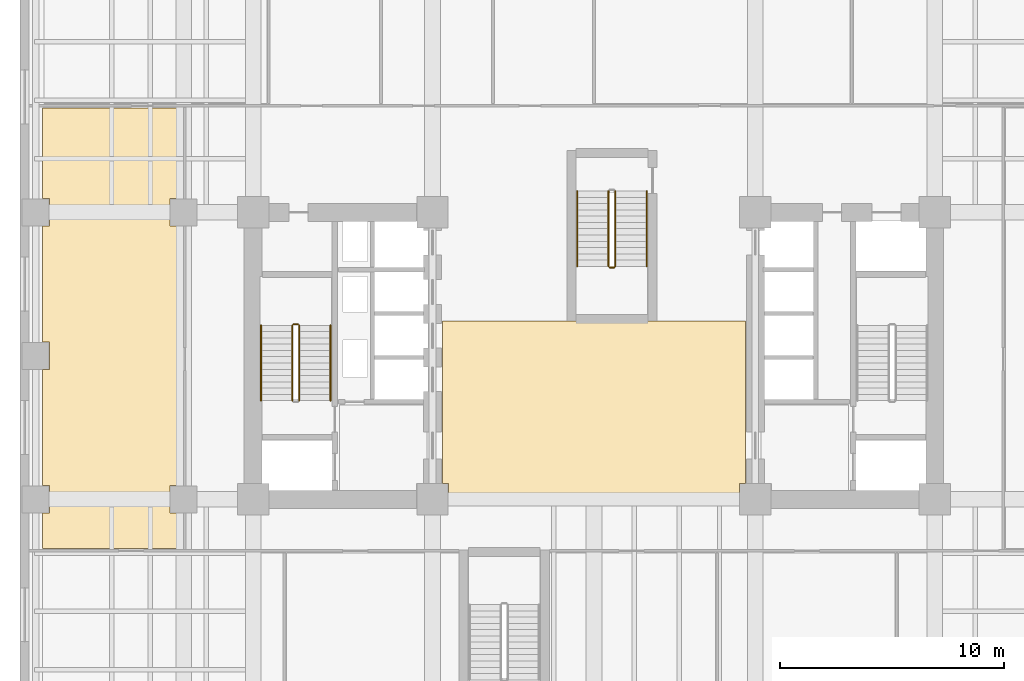
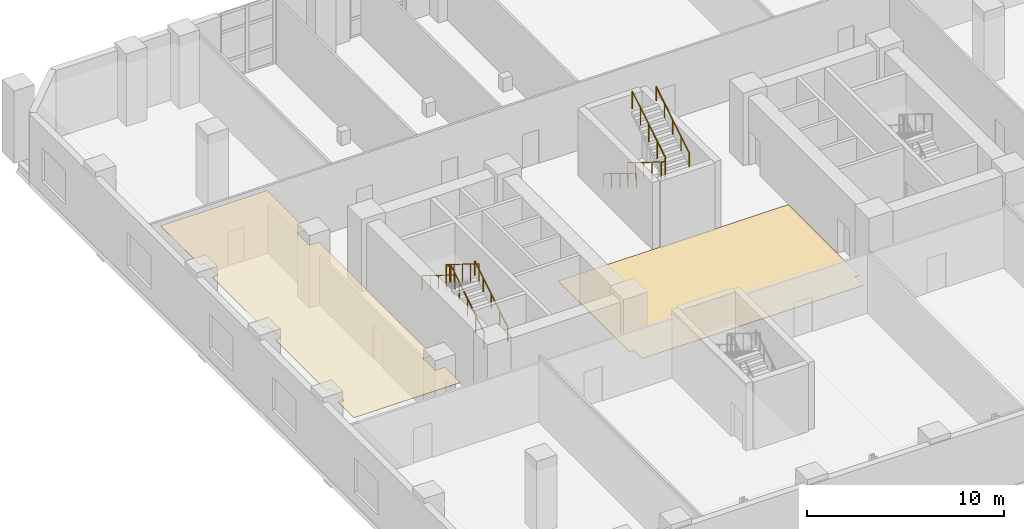
# One storey, part 11 of 15: 10 railings, 2 coverings.
"""IFC4 building model written with IfcOpenShell, lengths in metres."""

from ifc_helpers import new_model, si_unit, direction, frame, origin, origin_2d, place, context, subcontext, project, spatial, polyline, circle, outline, extrude, material, layer, layer_set, type_object, element, save


model = new_model("IFC4")

# Units and contexts
model_context = context("Model", 3, precision=1e-05, world=origin(), true_north=direction((0.0, 1.0)))
body_context = subcontext(model_context, "Body", "Model", "MODEL_VIEW")
ifc_project = project(units=[si_unit("LENGTHUNIT", "METRE"), si_unit("AREAUNIT", "SQUARE_METRE"), si_unit("VOLUMEUNIT", "CUBIC_METRE"), si_unit("PLANEANGLEUNIT", "RADIAN"), si_unit("MASSUNIT", "GRAM", prefix="KILO")], contexts=[model_context])

# Site, building, storey
site_placement = place(None, origin())
site = spatial("IfcSite", under=ifc_project, at=site_placement, CompositionType="ELEMENT")
building_placement = place(site_placement, origin())
building = spatial("IfcBuilding", under=site, at=building_placement, Name="Kranthara Brick Stack", CompositionType="ELEMENT")
storey_placement = place(building_placement, frame((0.0, 0.0, 9.89990234375)))
storey = spatial("IfcBuildingStorey", under=building, at=storey_placement, Name="L02", CompositionType="ELEMENT", Elevation=9.89990234375)

# Coverings
ifc_material_1 = material(Name="Perforated mineral-fibre acoustic ceiling tile", Category="other")
ifc_layer_1 = layer(ifc_material_1, 0.02490234375)
ifc_layer_set_1 = layer_set([ifc_layer_1], Name="Perforated mineral-fibre acoustic ceiling tile")
covering_type_1 = type_object("IfcCoveringType", Name="COV-CEIL-ACOUSTIC", PredefinedType="CEILING", material=ifc_layer_set_1)
covering_1_placement = place(storey_placement, frame((0.0, 0.0, 3.91015625)))
element("IfcCovering", 1, at=covering_1_placement, inside=storey, type_object=covering_type_1, Name="L02 West Perimeter Office Studio Acoustic Ceiling", PredefinedType="CEILING", context=body_context, shape_type="SweptSolid", body=[
    extrude(outline(polyline([(3.39990234375, 20.18994140625), (3.7099609375, 20.18994140625), (3.7099609375, 21.409912109375), (3.39990234375, 21.409912109375), (3.39990234375, 26.590087890625), (3.7099609375, 26.590087890625), (3.7099609375, 27.81005859375), (3.39990234375, 27.81005859375), (3.39990234375, 32.989990234375), (3.7099609375, 32.989990234375), (3.7099609375, 34.2099609375), (3.39990234375, 34.2099609375), (3.39990234375, 38.25), (9.64990234375, 38.25), (9.64990234375, 34.2099609375), (9.090087890625, 34.2099609375), (9.090087890625, 32.989990234375), (9.64990234375, 32.989990234375), (9.64990234375, 21.409912109375), (9.090087890625, 21.409912109375), (9.090087890625, 20.18994140625), (9.64990234375, 20.18994140625), (9.64990234375, 18.60009765625), (3.39990234375, 18.60009765625), (3.39990234375, 20.18994140625)])), origin(), (0.0, 0.0, 1.0), 0.02490234375),
])
ifc_material_2 = material(Name="Honed terrazzo and porcelain floor finish", Category="stone")
ifc_layer_2 = layer(ifc_material_2, 0.030029296875)
ifc_layer_set_2 = layer_set([ifc_layer_2], Name="Honed terrazzo and porcelain floor finish")
covering_type_2 = type_object("IfcCoveringType", Name="COV-FLOR-STONE", PredefinedType="FLOORING", material=ifc_layer_set_2)
covering_2_placement = place(storey_placement, origin())
element("IfcCovering", 2, at=covering_2_placement, inside=storey, type_object=covering_type_2, Name="L02 Lift Lobby Stone Flooring", PredefinedType="FLOORING", context=body_context, shape_type="SweptSolid", body=[
    extrude(outline(polyline([(34.75, 21.510009765625), (34.489990234375, 21.510009765625), (34.489990234375, 20.64990234375), (21.510009765625, 20.64990234375), (21.510009765625, 21.510009765625), (21.25, 21.510009765625), (21.25, 28.75), (34.75, 28.75), (34.75, 21.510009765625)])), origin(), (0.0, 0.0, 1.0), 0.030029296875),
])

# Railings
ifc_material_3 = material(Name="Painted galvanized steel stair guardrail", Category="steel")
railing_type_1 = type_object("IfcRailingType", Name="RL-STAIR-GUARD-1100", PredefinedType="GUARDRAIL", material=ifc_material_3)
railing_1_placement = place(storey_placement, frame((14.85009765625, 25.199951171875, 0.173095703125)))
element("IfcRailing", 3, at=railing_1_placement, inside=storey, type_object=railing_type_1, Name="L02 ST01 stair guard 1", PredefinedType="GUARDRAIL", context=body_context, shape_type="SweptSolid", body=[
    extrude(circle(Radius=0.02392578125, at=origin_2d()), frame((0.0, 0.0, 1.076171875), z_axis=(0.0, 0.850623216509, 0.525775754039), x_axis=(-1.0, 0.0, 0.0)), (0.0, 0.0, 1.0), 3.9501953125),
    extrude(circle(Radius=0.02099609375, at=origin_2d()), origin(), (0.0, 0.0, 1.0), 1.052001953125),
    extrude(circle(Radius=0.02099609375, at=origin_2d()), frame((0.0, 0.840087890625, 0.519287109375)), (0.0, 0.0, 1.0), 1.052001953125),
    extrude(circle(Radius=0.02099609375, at=origin_2d()), frame((0.0, 1.68017578125, 1.03857421875)), (0.0, 0.0, 1.0), 1.052001953125),
    extrude(circle(Radius=0.02099609375, at=origin_2d()), frame((0.0, 2.52001953125, 1.5576171875)), (0.0, 0.0, 1.0), 1.052001953125),
    extrude(circle(Radius=0.02099609375, at=origin_2d()), frame((0.0, 3.360107421875, 2.076904296875)), (0.0, 0.0, 1.0), 1.052001953125),
])
railing_2_placement = place(storey_placement, frame((14.800048828125, 28.610107421875, 2.25)))
element("IfcRailing", 4, at=railing_2_placement, inside=storey, type_object=railing_type_1, Name="L02 ST01 stair guard 2", PredefinedType="GUARDRAIL", context=body_context, shape_type="SweptSolid", body=[
    extrude(circle(Radius=0.02392578125, at=origin_2d()), frame((0.0, 0.0, 1.076171875), z_axis=(-1.0, 0.0, 0.0), x_axis=(0.0, -1.0, 0.0)), (0.0, 0.0, 1.0), 0.199951171875),
    extrude(circle(Radius=0.02099609375, at=origin_2d()), origin(), (0.0, 0.0, 1.0), 1.052001953125),
    extrude(circle(Radius=0.02099609375, at=origin_2d()), frame((-0.199951171875, 0.0, 0.0)), (0.0, 0.0, 1.0), 1.052001953125),
])
for number, where, name in (
    (5, (14.550048828125, 28.56005859375, 2.423095703125), "L02 ST01 stair guard 3"),
    (6, (28.64990234375, 34.550048828125, 0.173095703125), "L02 ST04 stair guard 1"),
):
    element("IfcRailing", number, at=place(storey_placement, frame(where)), inside=storey, type_object=railing_type_1, Name=name, PredefinedType="GUARDRAIL", context=body_context, shape_type="SweptSolid", body=[
        extrude(circle(Radius=0.02392578125, at=origin_2d()), frame((0.0, 0.0, 1.076171875), z_axis=(0.0, -0.850623216509, 0.525775754039), x_axis=(1.0, 0.0, 0.0)), (0.0, 0.0, 1.0), 3.9501953125),
        extrude(circle(Radius=0.02099609375, at=origin_2d()), origin(), (0.0, 0.0, 1.0), 1.052001953125),
        extrude(circle(Radius=0.02099609375, at=origin_2d()), frame((0.0, -0.840087890625, 0.519287109375)), (0.0, 0.0, 1.0), 1.052001953125),
        extrude(circle(Radius=0.02099609375, at=origin_2d()), frame((0.0, -1.68017578125, 1.03857421875)), (0.0, 0.0, 1.0), 1.052001953125),
        extrude(circle(Radius=0.02099609375, at=origin_2d()), frame((0.0, -2.52001953125, 1.5576171875)), (0.0, 0.0, 1.0), 1.052001953125),
        extrude(circle(Radius=0.02099609375, at=origin_2d()), frame((0.0, -3.360107421875, 2.076904296875)), (0.0, 0.0, 1.0), 1.052001953125),
    ])
railing_3_placement = place(storey_placement, frame((28.699951171875, 31.139892578125, 2.25)))
element("IfcRailing", 7, at=railing_3_placement, inside=storey, type_object=railing_type_1, Name="L02 ST04 stair guard 2", PredefinedType="GUARDRAIL", context=body_context, shape_type="SweptSolid", body=[
    extrude(circle(Radius=0.02392578125, at=origin_2d()), frame((0.0, 0.0, 1.076171875), z_axis=(1.0, 0.0, 0.0), x_axis=(0.0, 1.0, 0.0)), (0.0, 0.0, 1.0), 0.199951171875),
    extrude(circle(Radius=0.02099609375, at=origin_2d()), origin(), (0.0, 0.0, 1.0), 1.052001953125),
    extrude(circle(Radius=0.02099609375, at=origin_2d()), frame((0.199951171875, 0.0, 0.0)), (0.0, 0.0, 1.0), 1.052001953125),
])
railing_4_placement = place(storey_placement, frame((28.949951171875, 31.18994140625, 2.423095703125)))
element("IfcRailing", 8, at=railing_4_placement, inside=storey, type_object=railing_type_1, Name="L02 ST04 stair guard 3", PredefinedType="GUARDRAIL", context=body_context, shape_type="SweptSolid", body=[
    extrude(circle(Radius=0.02392578125, at=origin_2d()), frame((0.0, 0.0, 1.076171875), z_axis=(0.0, 0.850623216509, 0.525775754039), x_axis=(-1.0, 0.0, 0.0)), (0.0, 0.0, 1.0), 3.9501953125),
    extrude(circle(Radius=0.02099609375, at=origin_2d()), origin(), (0.0, 0.0, 1.0), 1.052001953125),
    extrude(circle(Radius=0.02099609375, at=origin_2d()), frame((0.0, 0.840087890625, 0.519287109375)), (0.0, 0.0, 1.0), 1.052001953125),
    extrude(circle(Radius=0.02099609375, at=origin_2d()), frame((0.0, 1.68017578125, 1.03857421875)), (0.0, 0.0, 1.0), 1.052001953125),
    extrude(circle(Radius=0.02099609375, at=origin_2d()), frame((0.0, 2.52001953125, 1.5576171875)), (0.0, 0.0, 1.0), 1.052001953125),
    extrude(circle(Radius=0.02099609375, at=origin_2d()), frame((0.0, 3.360107421875, 2.076904296875)), (0.0, 0.0, 1.0), 1.052001953125),
])
ifc_material_4 = material(Name="Brushed stainless steel tubular handrail", Category="steel")
railing_type_2 = type_object("IfcRailingType", Name="RL-STAIR-HAND-900", PredefinedType="HANDRAIL", material=ifc_material_4)
railing_5_placement = place(storey_placement, frame((16.25, 25.199951171875, 0.173095703125)))
element("IfcRailing", 9, at=railing_5_placement, inside=storey, type_object=railing_type_2, Name="L02 ST01 stair handrail 1", PredefinedType="HANDRAIL", context=body_context, shape_type="SweptSolid", body=[
    extrude(circle(Radius=0.02392578125, at=origin_2d()), frame((0.0, 0.0, 0.8759765625), z_axis=(0.0, 0.850623216509, 0.525775754039), x_axis=(-1.0, 0.0, 0.0)), (0.0, 0.0, 1.0), 3.9501953125),
    extrude(circle(Radius=0.02099609375, at=origin_2d()), origin(), (0.0, 0.0, 1.0), 0.851806640625),
    extrude(circle(Radius=0.02099609375, at=origin_2d()), frame((0.0, 0.840087890625, 0.519287109375)), (0.0, 0.0, 1.0), 0.851806640625),
    extrude(circle(Radius=0.02099609375, at=origin_2d()), frame((0.0, 1.68017578125, 1.03857421875)), (0.0, 0.0, 1.0), 0.851806640625),
    extrude(circle(Radius=0.02099609375, at=origin_2d()), frame((0.0, 2.52001953125, 1.5576171875)), (0.0, 0.0, 1.0), 0.851806640625),
    extrude(circle(Radius=0.02099609375, at=origin_2d()), frame((0.0, 3.360107421875, 2.076904296875)), (0.0, 0.0, 1.0), 0.851806640625),
])
for number, where, name in (
    (10, (13.14990234375, 28.56005859375, 2.423095703125), "L02 ST01 stair handrail 2"),
    (11, (27.25, 34.550048828125, 0.173095703125), "L02 ST04 stair handrail 1"),
):
    element("IfcRailing", number, at=place(storey_placement, frame(where)), inside=storey, type_object=railing_type_2, Name=name, PredefinedType="HANDRAIL", context=body_context, shape_type="SweptSolid", body=[
        extrude(circle(Radius=0.02392578125, at=origin_2d()), frame((0.0, 0.0, 0.8759765625), z_axis=(0.0, -0.850623216509, 0.525775754039), x_axis=(1.0, 0.0, 0.0)), (0.0, 0.0, 1.0), 3.9501953125),
        extrude(circle(Radius=0.02099609375, at=origin_2d()), origin(), (0.0, 0.0, 1.0), 0.851806640625),
        extrude(circle(Radius=0.02099609375, at=origin_2d()), frame((0.0, -0.840087890625, 0.519287109375)), (0.0, 0.0, 1.0), 0.851806640625),
        extrude(circle(Radius=0.02099609375, at=origin_2d()), frame((0.0, -1.68017578125, 1.03857421875)), (0.0, 0.0, 1.0), 0.851806640625),
        extrude(circle(Radius=0.02099609375, at=origin_2d()), frame((0.0, -2.52001953125, 1.5576171875)), (0.0, 0.0, 1.0), 0.851806640625),
        extrude(circle(Radius=0.02099609375, at=origin_2d()), frame((0.0, -3.360107421875, 2.076904296875)), (0.0, 0.0, 1.0), 0.851806640625),
    ])
railing_6_placement = place(storey_placement, frame((30.35009765625, 31.18994140625, 2.423095703125)))
element("IfcRailing", 12, at=railing_6_placement, inside=storey, type_object=railing_type_2, Name="L02 ST04 stair handrail 2", PredefinedType="HANDRAIL", context=body_context, shape_type="SweptSolid", body=[
    extrude(circle(Radius=0.02392578125, at=origin_2d()), frame((0.0, 0.0, 0.8759765625), z_axis=(0.0, 0.850623216509, 0.525775754039), x_axis=(-1.0, 0.0, 0.0)), (0.0, 0.0, 1.0), 3.9501953125),
    extrude(circle(Radius=0.02099609375, at=origin_2d()), origin(), (0.0, 0.0, 1.0), 0.851806640625),
    extrude(circle(Radius=0.02099609375, at=origin_2d()), frame((0.0, 0.840087890625, 0.519287109375)), (0.0, 0.0, 1.0), 0.851806640625),
    extrude(circle(Radius=0.02099609375, at=origin_2d()), frame((0.0, 1.68017578125, 1.03857421875)), (0.0, 0.0, 1.0), 0.851806640625),
    extrude(circle(Radius=0.02099609375, at=origin_2d()), frame((0.0, 2.52001953125, 1.5576171875)), (0.0, 0.0, 1.0), 0.851806640625),
    extrude(circle(Radius=0.02099609375, at=origin_2d()), frame((0.0, 3.360107421875, 2.076904296875)), (0.0, 0.0, 1.0), 0.851806640625),
])

save(model, "model.ifc")
